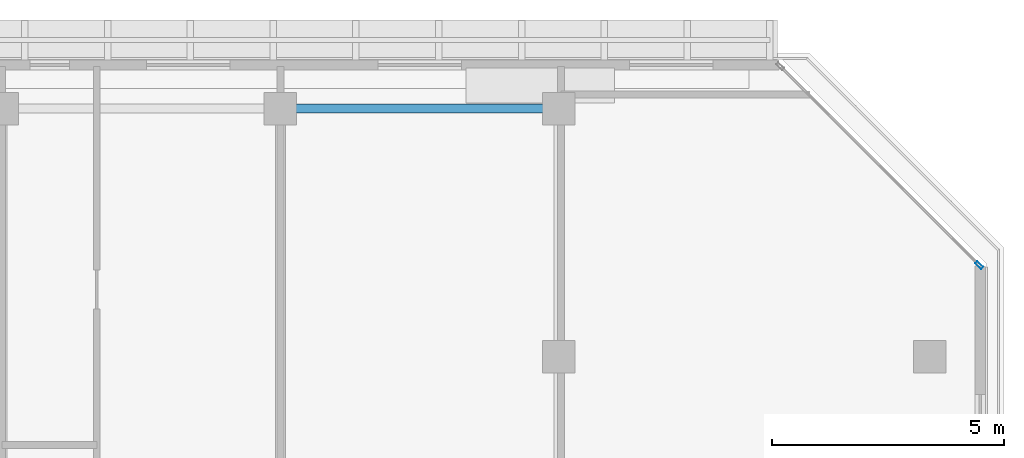
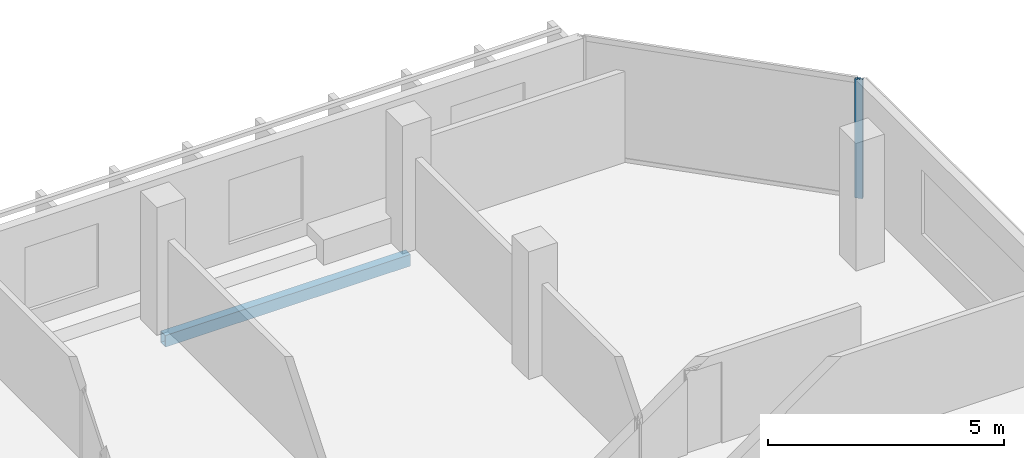
# One storey, part 18 of 30: 1 beam, 1 member, 1 element without a shape of its own.
"""IFC4 building model written with IfcOpenShell, lengths in metres."""

from ifc_helpers import new_model, si_unit, direction, frame, origin, origin_2d, place, context, subcontext, project, spatial, hollow_rectangle, extrude, material, layer, layer_set, material_profile, profile_set, type_object, element, aggregate, save


model = new_model("IFC4")

# Units and contexts
model_context = context("Model", 3, precision=1e-05, world=origin(), true_north=direction((0.0, 1.0)))
body_context = subcontext(model_context, "Body", "Model", "MODEL_VIEW")
ifc_project = project(units=[si_unit("LENGTHUNIT", "METRE"), si_unit("AREAUNIT", "SQUARE_METRE"), si_unit("VOLUMEUNIT", "CUBIC_METRE"), si_unit("PLANEANGLEUNIT", "RADIAN"), si_unit("MASSUNIT", "GRAM", prefix="KILO")], contexts=[model_context])

# Site, building, storey
site_placement = place(None, origin())
site = spatial("IfcSite", under=ifc_project, at=site_placement, CompositionType="ELEMENT")
building_placement = place(site_placement, origin())
building = spatial("IfcBuilding", under=site, at=building_placement, Name="Tanjung Sevakor Pilgrim Tower", CompositionType="ELEMENT")
storey_placement = place(building_placement, frame((0.0, 0.0, 229.35009765625)))
storey = spatial("IfcBuildingStorey", under=building, at=storey_placement, Name="L64", CompositionType="ELEMENT", Elevation=229.35009765625)

# Beam
ifc_material_1 = material(Name="Steel S355J2", Category="steel")
ifc_material_profile_1 = material_profile(ifc_material_1, hollow_rectangle(XDim=0.199951171875, YDim=0.300048828125, WallThickness=0.012451171875, at=origin_2d()))
ifc_profile_set_1 = profile_set([ifc_material_profile_1], Name="Steel S355J2")
beam_type = type_object("IfcBeamType", Name="BM-B-SP3-RHS_300x200x12.5", PredefinedType="SPANDREL", material=ifc_profile_set_1)
beam_placement = place(storey_placement, frame((84.0, 53.949951171875, -0.43017578125), z_axis=(1.0, 0.0, 0.0), x_axis=(0.0, 1.0, 0.0)))
element("IfcBeam", 1, at=beam_placement, inside=storey, type_object=beam_type, Name="L64 Spandrel EAST N-06", PredefinedType="SPANDREL", context=body_context, shape_type="SweptSolid", body=[
    extrude(hollow_rectangle(XDim=0.199951171875, YDim=0.300048828125, WallThickness=0.012451171875, at=origin_2d()), origin(), (0.0, 0.0, 1.0), 6.0),
])

# Curtain wall, member
ifc_material_2 = material(Name="Aluminium 6063-T6 and Low-E Glass", Category="aluminium")
ifc_layer = layer(ifc_material_2, 0.179931640625)
ifc_layer_set = layer_set([ifc_layer], Name="CW-SYS-CHAM")
curtain_wall_type = type_object("IfcCurtainWallType", Name="CW-SYS-CHAM", PredefinedType="NOTDEFINED", material=ifc_layer_set)
curtain_wall_placement = place(storey_placement, origin())
curtain_wall = element("IfcCurtainWall", 2, at=curtain_wall_placement, inside=storey, type_object=curtain_wall_type, Name="L64 Curtain Wall CW-CHM-L64-EAST-3", PredefinedType="NOTDEFINED")
ifc_material_3 = material(Name="Aluminium 6063-T6", Category="aluminium")
ifc_material_profile_2 = material_profile(ifc_material_3, hollow_rectangle(XDim=0.06494140625, YDim=0.179931640625, WallThickness=0.00390625, at=origin_2d()))
ifc_profile_set_2 = profile_set([ifc_material_profile_2], Name="Aluminium 6063-T6")
member_type = type_object("IfcMemberType", Name="TYPE-CWM-1", PredefinedType="MULLION", material=ifc_profile_set_2)
member_placement = place(storey_placement, frame((99.067138671875, 50.577392578125, 0.0), z_axis=(0.0, 0.0, 1.0), x_axis=(-0.707106781187, -0.707106781187, 0.0)))
member = element("IfcMember", 3, at=member_placement, type_object=member_type, Name="CW-CHM mullion 1", PredefinedType="MULLION", context=body_context, shape_type="SweptSolid", body=[
    extrude(hollow_rectangle(XDim=0.06494140625, YDim=0.179931640625, WallThickness=0.00390625, at=origin_2d()), origin(), (0.0, 0.0, 1.0), 3.079833984375),
])
aggregate(curtain_wall, [member])

save(model, "model.ifc")
